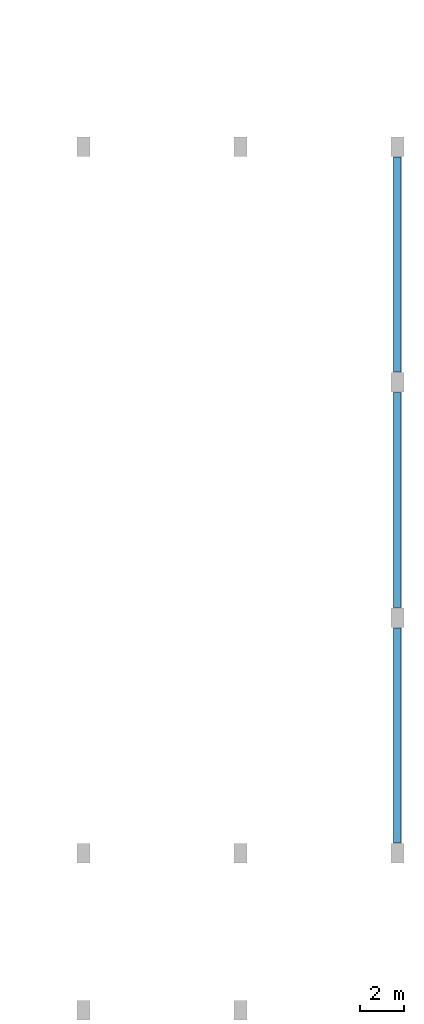
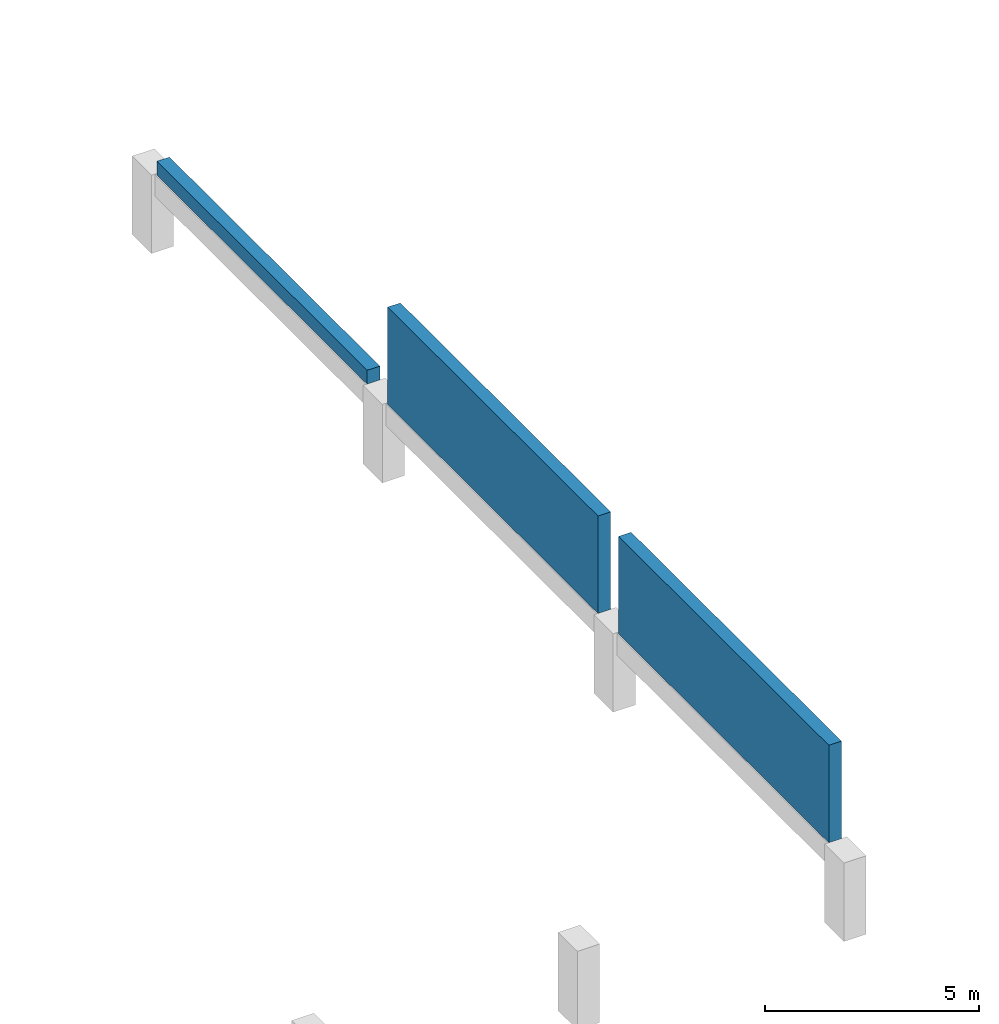
# One storey, part 28 of 33: 3 walls.
"""IFC4 building model written with IfcOpenShell, lengths in metres."""

from ifc_helpers import new_model, si_unit, direction, frame, frame_2d, origin, place, context, subcontext, project, spatial, rectangle, extrude, material, layer, layer_set, type_object, element, save


model = new_model("IFC4")

# Units and contexts
model_context = context("Model", 3, precision=1e-05, world=origin(), true_north=direction((0.0, 1.0)))
body_context = subcontext(model_context, "Body", "Model", "MODEL_VIEW")
ifc_project = project(units=[si_unit("LENGTHUNIT", "METRE"), si_unit("AREAUNIT", "SQUARE_METRE"), si_unit("VOLUMEUNIT", "CUBIC_METRE"), si_unit("PLANEANGLEUNIT", "RADIAN"), si_unit("MASSUNIT", "GRAM", prefix="KILO")], contexts=[model_context])

# Site, building, storey
site_placement = place(None, origin())
site = spatial("IfcSite", under=ifc_project, at=site_placement, CompositionType="ELEMENT")
building_placement = place(site_placement, origin())
building = spatial("IfcBuilding", under=site, at=building_placement, Name="Lusvemor Sports Hall", CompositionType="ELEMENT")
storey_placement = place(building_placement, frame((0.0, 0.0, 19.199951171875)))
storey = spatial("IfcBuildingStorey", under=building, at=storey_placement, Name="L04", CompositionType="ELEMENT", Elevation=19.199951171875)

# Walls
ifc_material = material(Name="Warm terracotta Art Nouveau ceramic cladding on Concrete C40/50 backing", Category="masonry")
ifc_layer = layer(ifc_material, 0.340087890625)
ifc_layer_set = layer_set([ifc_layer], Name="Warm terracotta Art Nouveau ceramic cladding on Concrete C40/50 backing")
wall_type = type_object("IfcWallType", Name="EW_TERR_CAV_340", PredefinedType="STANDARD", material=ifc_layer_set)
for number, where, z_axis, x_axis, name in (
    (1, (169.199951171875, 17.52001953125, 2.2099609375), (0.0, 0.0, 1.0), (0.0, -1.0, 0.0), "Exterior Wall EW-V2TYM-E-1"),
    (2, (169.199951171875, 28.320068359375, 2.2099609375), (0.0, 0.0, 1.0), (0.0, -1.0, 0.0), "Exterior Wall EW-V2TYM-E-2"),
):
    element("IfcWall", number, at=place(storey_placement, frame(where, z_axis=z_axis, x_axis=x_axis)), inside=storey, type_object=wall_type, Name=name, PredefinedType="STANDARD", context=body_context, shape_type="SweptSolid", body=[
        extrude(rectangle(XDim=9.840087890625, YDim=0.340087890625, at=frame_2d((4.919921875, 0.0))), origin(), (0.0, 0.0, 1.0), 2.78515625),
    ])
wall_placement = place(storey_placement, frame((169.199951171875, 39.1201171875, 2.2099609375), z_axis=(0.0, 0.0, 1.0), x_axis=(0.0, -1.0, 0.0)))
element("IfcWall", 3, at=wall_placement, inside=storey, type_object=wall_type, Name="Exterior Wall EW-V2TYM-E-3", PredefinedType="STANDARD", context=body_context, shape_type="SweptSolid", body=[
    extrude(rectangle(XDim=9.840087890625, YDim=0.340087890625, at=frame_2d((4.919921875, 0.0))), origin(), (0.0, 0.0, 1.0), 0.398681640625),
])

save(model, "model.ifc")
